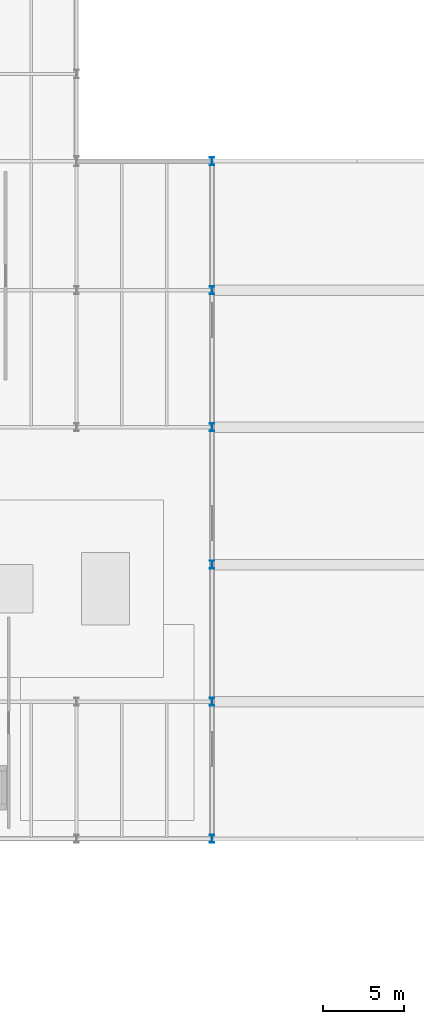
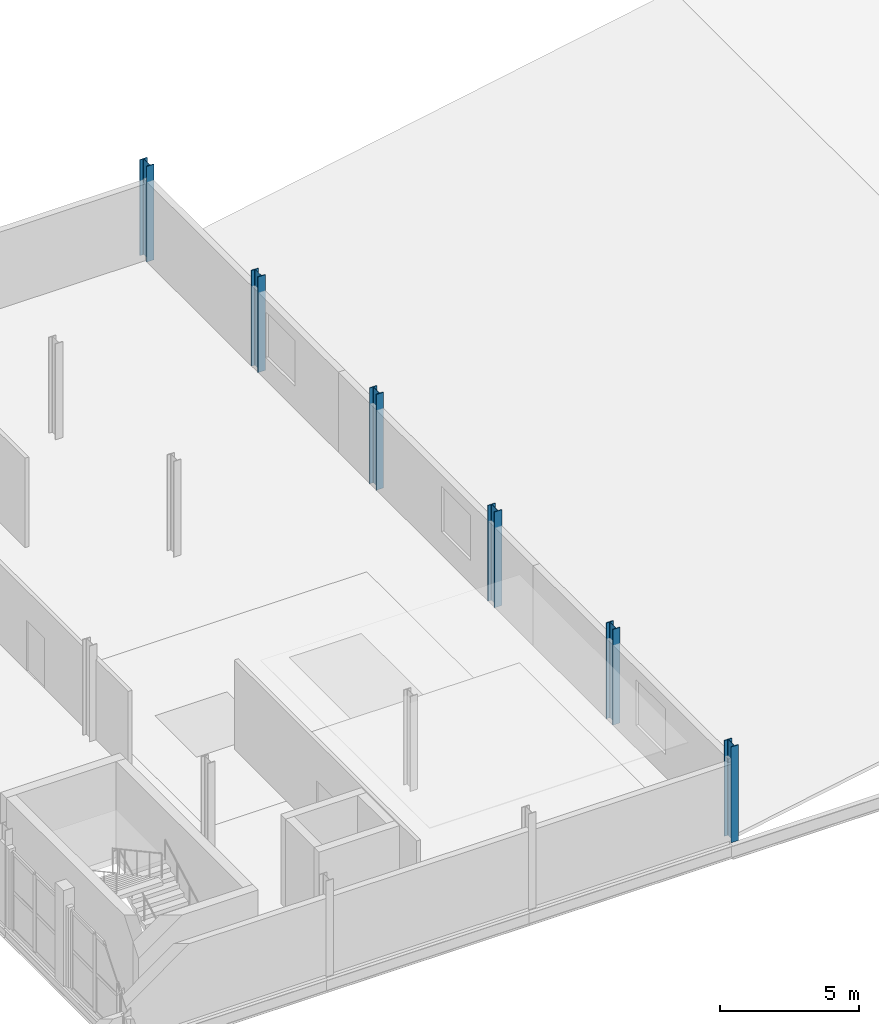
# One storey, part 10 of 58: 6 columns.
"""IFC4 building model written with IfcOpenShell, lengths in metres."""

from ifc_helpers import new_model, si_unit, direction, frame, origin, origin_2d, place, context, subcontext, project, spatial, i_section, extrude, material, material_profile, profile_set, type_object, element, save


model = new_model("IFC4")

# Units and contexts
model_context = context("Model", 3, precision=1e-05, world=origin(), true_north=direction((0.0, 1.0)))
body_context = subcontext(model_context, "Body", "Model", "MODEL_VIEW")
ifc_project = project(units=[si_unit("LENGTHUNIT", "METRE"), si_unit("AREAUNIT", "SQUARE_METRE"), si_unit("VOLUMEUNIT", "CUBIC_METRE"), si_unit("PLANEANGLEUNIT", "RADIAN"), si_unit("MASSUNIT", "GRAM", prefix="KILO")], contexts=[model_context])

# Site, building, storey
site_placement = place(None, origin())
site = spatial("IfcSite", under=ifc_project, at=site_placement, CompositionType="ELEMENT")
building_placement = place(site_placement, origin())
building = spatial("IfcBuilding", under=site, at=building_placement, Name="Sefraquen Railside Congress Hotel", CompositionType="ELEMENT")
storey_placement = place(building_placement, frame((0.0, 0.0, 16.199951171875)))
storey = spatial("IfcBuildingStorey", under=building, at=storey_placement, Name="L03", CompositionType="ELEMENT", Elevation=16.199951171875)

# Columns
ifc_material = material(Name="Steel S355JR", Category="steel")
ifc_material_profile = material_profile(ifc_material, i_section(OverallWidth=0.300048828125, OverallDepth=0.5, WebThickness=0.014404296875, FlangeThickness=0.028076171875, FilletRadius=0.027099609375, at=origin_2d()), Name="HEB 500")
ifc_profile_set = profile_set([ifc_material_profile], Name="Steel S355JR")
column_type = type_object("IfcColumnType", Name="TC-HEB-500", PredefinedType="COLUMN", material=ifc_profile_set)
for number, where, z_axis, x_axis, name in (
    (1, (128.39990234375, 54.0, 0.0), (0.0, 0.0, 1.0), (1.0, 0.0, 0.0), "Structural column 17-G L03"),
    (2, (128.39990234375, 62.5, 0.0), (0.0, 0.0, 1.0), (1.0, 0.0, 0.0), "Structural column 17-H L03"),
    (3, (128.39990234375, 71.0, 0.0), (0.0, 0.0, 1.0), (1.0, 0.0, 0.0), "Structural column 17-J L03"),
    (4, (128.39990234375, 79.5, 0.0), (0.0, 0.0, 1.0), (1.0, 0.0, 0.0), "Structural column 17-K L03"),
    (5, (128.39990234375, 88.0, 0.0), (0.0, 0.0, 1.0), (1.0, 0.0, 0.0), "Structural column 17-L L03"),
    (6, (128.39990234375, 96.0, 0.0), (0.0, 0.0, 1.0), (1.0, 0.0, 0.0), "Structural column 17-M L03"),
):
    element("IfcColumn", number, at=place(storey_placement, frame(where, z_axis=z_axis, x_axis=x_axis)), inside=storey, type_object=column_type, Name=name, PredefinedType="COLUMN", context=body_context, shape_type="SweptSolid", body=[
        extrude(i_section(OverallWidth=0.300048828125, OverallDepth=0.5, WebThickness=0.014404296875, FlangeThickness=0.028076171875, FilletRadius=0.027099609375, at=origin_2d()), origin(), (0.0, 0.0, 1.0), 4.199951171875),
    ])

save(model, "model.ifc")
